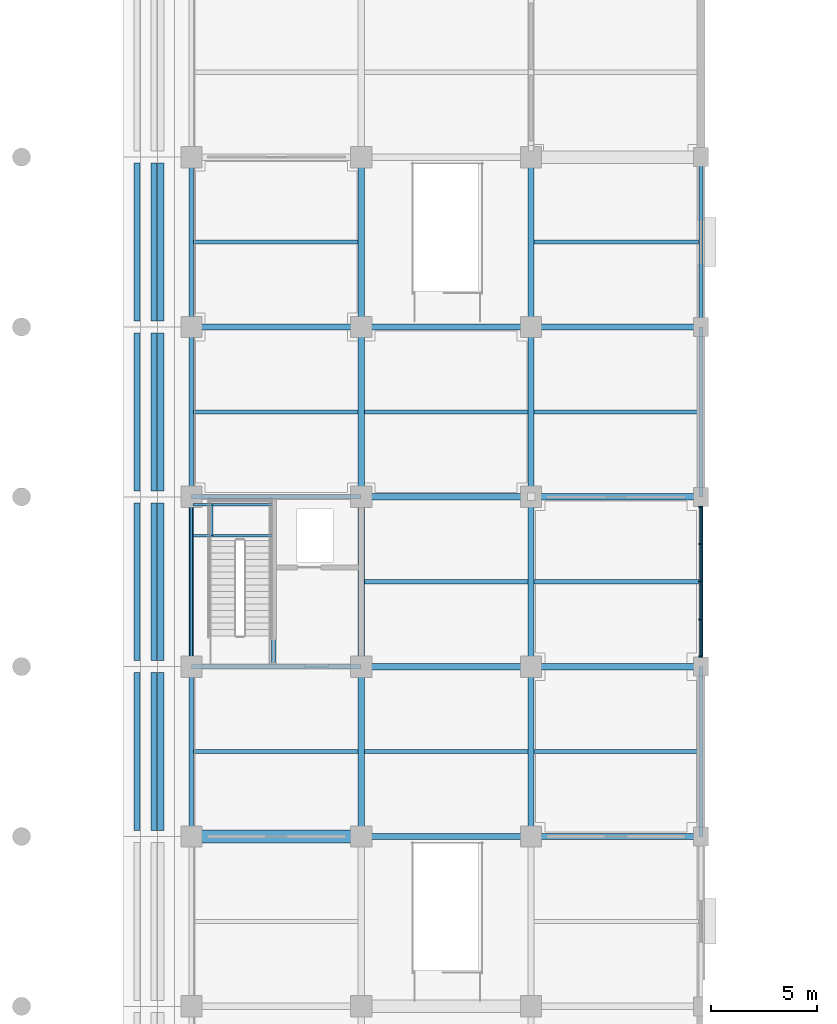
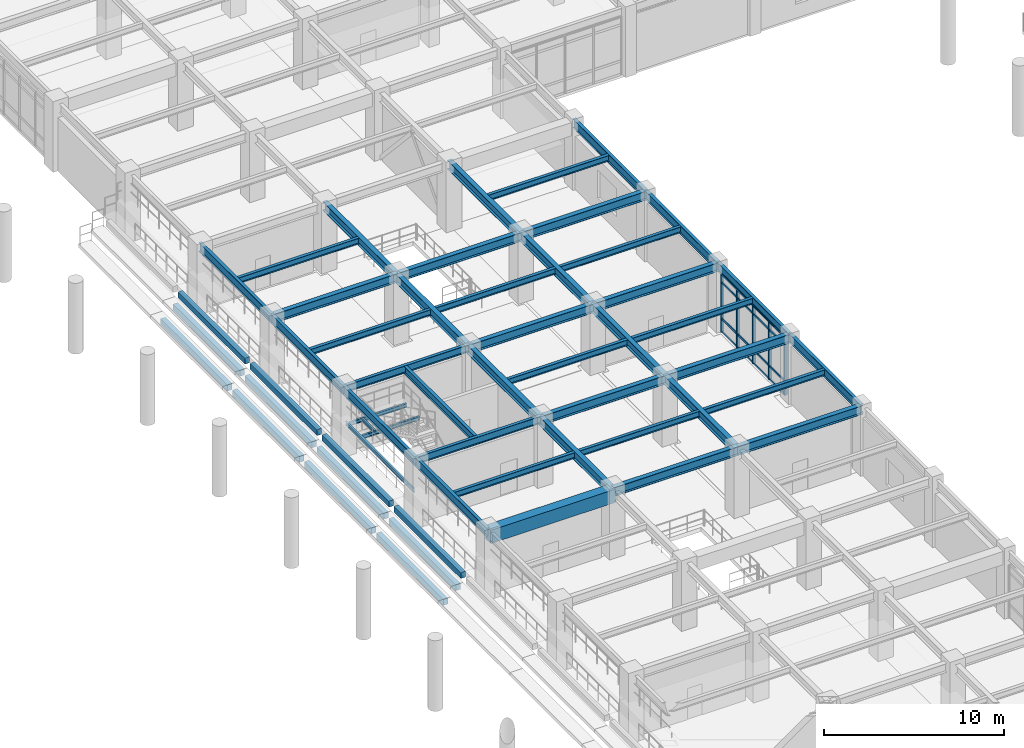
# One storey, part 36 of 117: 55 beams, 21 members, 1 element without a shape of its own.
"""IFC4 building model written with IfcOpenShell, lengths in metres."""

from ifc_helpers import new_model, si_unit, direction, frame, origin, origin_2d, place, context, subcontext, project, spatial, rectangle, i_section, extrude, material, layer, layer_set, material_profile, profile_set, type_object, element, aggregate, save


model = new_model("IFC4")

# Units and contexts
model_context = context("Model", 3, precision=1e-05, world=origin(), true_north=direction((0.0, 1.0)))
body_context = subcontext(model_context, "Body", "Model", "MODEL_VIEW")
ifc_project = project(units=[si_unit("LENGTHUNIT", "METRE"), si_unit("AREAUNIT", "SQUARE_METRE"), si_unit("VOLUMEUNIT", "CUBIC_METRE"), si_unit("PLANEANGLEUNIT", "RADIAN"), si_unit("MASSUNIT", "GRAM", prefix="KILO")], contexts=[model_context])

# Site, building, storey
site_placement = place(None, origin())
site = spatial("IfcSite", under=ifc_project, at=site_placement, CompositionType="ELEMENT")
building_placement = place(site_placement, origin())
building = spatial("IfcBuilding", under=site, at=building_placement, Name="Haebicheon Civic Stadium", CompositionType="ELEMENT")
storey_placement = place(building_placement, frame((0.0, 0.0, 4.800048828125)))
storey = spatial("IfcBuildingStorey", under=building, at=storey_placement, Name="L02", CompositionType="ELEMENT", Elevation=4.800048828125)

# Beams
ifc_material_1 = material(Name="Precast concrete C40/50", Category="concrete")
ifc_material_profile_1 = material_profile(ifc_material_1, rectangle(XDim=0.300048828125, YDim=0.39990234375, at=origin_2d()), Name="PC-LN-300x400")
ifc_profile_set_1 = profile_set([ifc_material_profile_1], Name="Precast concrete C40/50")
beam_type_1 = type_object("IfcBeamType", Name="BM-LN-300x400", PredefinedType="LINTEL", material=ifc_profile_set_1)
for number, where, z_axis, x_axis, name in (
    (1, (141.43994140625, 96.280029296875, 0.22705078125), (0.0, 1.0, 0.0), (-1.0, 0.0, 0.0), "TIER-E-L precast step carrier beam 7.7"),
    (2, (142.239990234375, 96.280029296875, 0.93798828125), (0.0, 1.0, 0.0), (-1.0, 0.0, 0.0), "TIER-E-L precast step carrier beam 7.8"),
    (3, (142.56005859375, 96.280029296875, 1.64892578125), (0.0, 1.0, 0.0), (-1.0, 0.0, 0.0), "TIER-E-L precast step carrier beam 7.9"),
    (4, (141.43994140625, 104.280029296875, 0.22705078125), (0.0, 1.0, 0.0), (-1.0, 0.0, 0.0), "TIER-E-L precast step carrier beam 8.7"),
    (5, (142.239990234375, 104.280029296875, 0.93798828125), (0.0, 1.0, 0.0), (-1.0, 0.0, 0.0), "TIER-E-L precast step carrier beam 8.8"),
    (6, (142.56005859375, 104.280029296875, 1.64892578125), (0.0, 1.0, 0.0), (-1.0, 0.0, 0.0), "TIER-E-L precast step carrier beam 8.9"),
    (7, (141.43994140625, 112.280029296875, 0.22705078125), (0.0, 1.0, 0.0), (-1.0, 0.0, 0.0), "TIER-E-L precast step carrier beam 9.7"),
    (8, (142.239990234375, 112.280029296875, 0.93798828125), (0.0, 1.0, 0.0), (-1.0, 0.0, 0.0), "TIER-E-L precast step carrier beam 9.8"),
    (9, (142.56005859375, 112.280029296875, 1.64892578125), (0.0, 1.0, 0.0), (-1.0, 0.0, 0.0), "TIER-E-L precast step carrier beam 9.9"),
    (10, (141.43994140625, 120.280029296875, 0.22705078125), (0.0, 1.0, 0.0), (-1.0, 0.0, 0.0), "TIER-E-L precast step carrier beam 10.7"),
    (11, (142.239990234375, 120.280029296875, 0.93798828125), (0.0, 1.0, 0.0), (-1.0, 0.0, 0.0), "TIER-E-L precast step carrier beam 10.8"),
    (12, (142.56005859375, 120.280029296875, 1.64892578125), (0.0, 1.0, 0.0), (-1.0, 0.0, 0.0), "TIER-E-L precast step carrier beam 10.9"),
):
    element("IfcBeam", number, at=place(storey_placement, frame(where, z_axis=z_axis, x_axis=x_axis)), inside=storey, type_object=beam_type_1, material=ifc_profile_set_1, Name=name, PredefinedType="LINTEL", context=body_context, shape_type="SweptSolid", body=[
        extrude(rectangle(XDim=0.300048828125, YDim=0.39990234375, at=origin_2d()), origin(), (0.0, 0.0, 1.0), 7.43994140625),
    ])
ifc_material_2 = material(Name="Concrete C40/50", Category="concrete")
ifc_material_profile_2 = material_profile(ifc_material_2, rectangle(XDim=0.60009765625, YDim=0.89990234375, at=origin_2d()), Name="RC-BM-600x900")
ifc_profile_set_2 = profile_set([ifc_material_profile_2], Name="Concrete C40/50")
beam_type_2 = type_object("IfcBeamType", Name="BM-RC-600x900", PredefinedType="BEAM", material=ifc_profile_set_2)
beam_1_placement = place(storey_placement, frame((144.0, 96.0, 4.070068359375), z_axis=(1.0, 0.0, 0.0), x_axis=(0.0, 1.0, 0.0)))
element("IfcBeam", 13, at=beam_1_placement, inside=storey, type_object=beam_type_2, material=ifc_profile_set_2, Name="L02 beam N/19-20", PredefinedType="BEAM", context=body_context, shape_type="SweptSolid", body=[
    extrude(rectangle(XDim=0.60009765625, YDim=0.89990234375, at=origin_2d()), origin(), (0.0, 0.0, 1.0), 8.0),
])
ifc_material_3 = material(Name="Steel SM355 (S355)", Category="steel")
ifc_material_profile_3 = material_profile(ifc_material_3, i_section(OverallWidth=0.199951171875, OverallDepth=0.5, WebThickness=0.010009765625, FlangeThickness=0.01611328125, at=origin_2d()), Name="H-500x200x10x16")
ifc_profile_set_3 = profile_set([ifc_material_profile_3], Name="Steel SM355 (S355)")
beam_type_3 = type_object("IfcBeamType", Name="BM-ST-H500", PredefinedType="BEAM", material=ifc_profile_set_3)
for number, where, z_axis, x_axis, name in (
    (14, (144.0, 104.0, 4.27001953125), (1.0, 0.0, 0.0), (0.0, 1.0, 0.0), "L02 beam P/19-20"),
    (15, (144.0, 112.0, 4.27001953125), (1.0, 0.0, 0.0), (0.0, 1.0, 0.0), "L02 beam Q/19-20"),
):
    element("IfcBeam", number, at=place(storey_placement, frame(where, z_axis=z_axis, x_axis=x_axis)), inside=storey, type_object=beam_type_3, material=ifc_profile_set_3, Name=name, PredefinedType="BEAM", context=body_context, shape_type="SweptSolid", body=[
        extrude(i_section(OverallWidth=0.199951171875, OverallDepth=0.5, WebThickness=0.010009765625, FlangeThickness=0.01611328125, at=origin_2d()), origin(), (0.0, 0.0, 1.0), 8.0),
    ])
beam_2_placement = place(storey_placement, frame((147.8798828125, 104.10009765625, 4.27001953125), z_axis=(0.0, 1.0, 0.0), x_axis=(-1.0, 0.0, 0.0)))
element("IfcBeam", 16, at=beam_2_placement, inside=storey, type_object=beam_type_3, material=ifc_profile_set_3, Name="L02 KC-11 core dividing wall support beam", PredefinedType="BEAM", context=body_context, shape_type="SweptSolid", body=[
    extrude(i_section(OverallWidth=0.199951171875, OverallDepth=0.5, WebThickness=0.010009765625, FlangeThickness=0.01611328125, at=origin_2d()), origin(), (0.0, 0.0, 1.0), 7.7998046875),
])
ifc_material_4 = material(Name="Steel SM355 (S355)", Category="steel")
ifc_material_profile_4 = material_profile(ifc_material_4, i_section(OverallWidth=0.300048828125, OverallDepth=0.60009765625, WebThickness=0.011962890625, FlangeThickness=0.02001953125, at=origin_2d()), Name="H-600x300x12x20")
ifc_profile_set_4 = profile_set([ifc_material_profile_4], Name="Steel SM355 (S355)")
beam_type_4 = type_object("IfcBeamType", Name="BM-ST-H600A", PredefinedType="BEAM", material=ifc_profile_set_4)
for number, where, z_axis, x_axis, name in (
    (17, (152.0, 96.0, 4.219970703125), (0.0, 1.0, 0.0), (-1.0, 0.0, 0.0), "L02 girder 20/N-P"),
    (18, (152.0, 104.0, 4.219970703125), (0.0, 1.0, 0.0), (-1.0, 0.0, 0.0), "L02 girder 20/P-Q"),
    (19, (152.0, 112.0, 4.219970703125), (0.0, 1.0, 0.0), (-1.0, 0.0, 0.0), "L02 girder 20/Q-R"),
    (20, (152.0, 120.0, 4.219970703125), (0.0, 1.0, 0.0), (-1.0, 0.0, 0.0), "L02 girder 20/R-S"),
    (21, (160.0, 96.0, 4.219970703125), (0.0, 1.0, 0.0), (-1.0, 0.0, 0.0), "L02 girder 21/N-P"),
    (22, (160.0, 104.0, 4.219970703125), (0.0, 1.0, 0.0), (-1.0, 0.0, 0.0), "L02 girder 21/P-Q"),
    (23, (160.0, 112.0, 4.219970703125), (0.0, 1.0, 0.0), (-1.0, 0.0, 0.0), "L02 girder 21/Q-R"),
    (24, (160.0, 120.0, 4.219970703125), (0.0, 1.0, 0.0), (-1.0, 0.0, 0.0), "L02 girder 21/R-S"),
    (25, (144.0, 120.0, 4.219970703125), (1.0, 0.0, 0.0), (0.0, 1.0, 0.0), "L02 beam R/19-20"),
    (26, (152.0, 96.0, 4.219970703125), (1.0, 0.0, 0.0), (0.0, 1.0, 0.0), "L02 beam N/20-21"),
    (27, (152.0, 104.0, 4.219970703125), (1.0, 0.0, 0.0), (0.0, 1.0, 0.0), "L02 beam P/20-21"),
    (28, (152.0, 112.0, 4.219970703125), (1.0, 0.0, 0.0), (0.0, 1.0, 0.0), "L02 beam Q/20-21"),
    (29, (152.0, 120.0, 4.219970703125), (1.0, 0.0, 0.0), (0.0, 1.0, 0.0), "L02 beam R/20-21"),
    (30, (160.0, 96.0, 4.219970703125), (1.0, 0.0, 0.0), (0.0, 1.0, 0.0), "L02 beam N/21-22"),
    (31, (160.0, 104.0, 4.219970703125), (1.0, 0.0, 0.0), (0.0, 1.0, 0.0), "L02 beam P/21-22"),
    (32, (160.0, 112.0, 4.219970703125), (1.0, 0.0, 0.0), (0.0, 1.0, 0.0), "L02 beam Q/21-22"),
    (33, (160.0, 120.0, 4.219970703125), (1.0, 0.0, 0.0), (0.0, 1.0, 0.0), "L02 beam R/21-22"),
):
    element("IfcBeam", number, at=place(storey_placement, frame(where, z_axis=z_axis, x_axis=x_axis)), inside=storey, type_object=beam_type_4, material=ifc_profile_set_4, Name=name, PredefinedType="BEAM", context=body_context, shape_type="SweptSolid", body=[
        extrude(i_section(OverallWidth=0.300048828125, OverallDepth=0.60009765625, WebThickness=0.011962890625, FlangeThickness=0.02001953125, at=origin_2d()), origin(), (0.0, 0.0, 1.0), 8.0),
    ])

# Curtain wall, members
ifc_material_5 = material(Name="Anodised aluminium and laminated glass", Category="aluminium")
ifc_layer = layer(ifc_material_5, 0.179931640625, Name="Anodised aluminium and laminated glass")
ifc_layer_set = layer_set([ifc_layer], Name="Anodised aluminium and laminated glass")
curtain_wall_type = type_object("IfcCurtainWallType", Name="CW-7100x3910", PredefinedType="NOTDEFINED", material=ifc_layer_set)
curtain_wall_placement = place(storey_placement, origin())
curtain_wall = element("IfcCurtainWall", 34, at=curtain_wall_placement, inside=storey, type_object=curtain_wall_type, material=ifc_layer_set, Name="L02 unitised curtain wall 056", PredefinedType="NOTDEFINED")
ifc_material_6 = material(Name="Anodised aluminium 6063-T6", Category="aluminium")
ifc_material_profile_5 = material_profile(ifc_material_6, rectangle(XDim=0.070068359375, YDim=0.199951171875, at=origin_2d()), Name="ALU-MULL-70x200")
ifc_profile_set_5 = profile_set([ifc_material_profile_5], Name="Anodised aluminium 6063-T6")
member_type_1 = type_object("IfcMemberType", Name="CWM-200x70", PredefinedType="MULLION", material=ifc_profile_set_5)
member_1_placement = place(storey_placement, frame((168.0, 104.485107421875, 0.0), z_axis=(0.0, 0.0, 1.0), x_axis=(0.0, 1.0, 0.0)))
member_1 = element("IfcMember", 35, at=member_1_placement, type_object=member_type_1, material=ifc_profile_set_5, Name="CW-L02-056 vertical mullion 1", PredefinedType="MULLION", context=body_context, shape_type="SweptSolid", body=[
    extrude(rectangle(XDim=0.070068359375, YDim=0.199951171875, at=origin_2d()), origin(), (0.0, 0.0, 1.0), 3.909912109375),
])
member_2_placement = place(storey_placement, frame((168.0, 106.22509765625, 0.0), z_axis=(0.0, 0.0, 1.0), x_axis=(0.0, 1.0, 0.0)))
member_2 = element("IfcMember", 36, at=member_2_placement, type_object=member_type_1, material=ifc_profile_set_5, Name="CW-L02-056 vertical mullion 2", PredefinedType="MULLION", context=body_context, shape_type="SweptSolid", body=[
    extrude(rectangle(XDim=0.070068359375, YDim=0.199951171875, at=origin_2d()), origin(), (0.0, 0.0, 1.0), 3.909912109375),
])
member_3_placement = place(storey_placement, frame((168.0, 108.0, 0.0), z_axis=(0.0, 0.0, 1.0), x_axis=(0.0, 1.0, 0.0)))
member_3 = element("IfcMember", 37, at=member_3_placement, type_object=member_type_1, material=ifc_profile_set_5, Name="CW-L02-056 vertical mullion 3", PredefinedType="MULLION", context=body_context, shape_type="SweptSolid", body=[
    extrude(rectangle(XDim=0.070068359375, YDim=0.199951171875, at=origin_2d()), origin(), (0.0, 0.0, 1.0), 3.909912109375),
])
member_4_placement = place(storey_placement, frame((168.0, 109.77490234375, 0.0), z_axis=(0.0, 0.0, 1.0), x_axis=(0.0, 1.0, 0.0)))
member_4 = element("IfcMember", 38, at=member_4_placement, type_object=member_type_1, material=ifc_profile_set_5, Name="CW-L02-056 vertical mullion 4", PredefinedType="MULLION", context=body_context, shape_type="SweptSolid", body=[
    extrude(rectangle(XDim=0.070068359375, YDim=0.199951171875, at=origin_2d()), origin(), (0.0, 0.0, 1.0), 3.909912109375),
])
member_5_placement = place(storey_placement, frame((168.0, 111.514892578125, 0.0), z_axis=(0.0, 0.0, 1.0), x_axis=(0.0, 1.0, 0.0)))
member_5 = element("IfcMember", 39, at=member_5_placement, type_object=member_type_1, material=ifc_profile_set_5, Name="CW-L02-056 vertical mullion 5", PredefinedType="MULLION", context=body_context, shape_type="SweptSolid", body=[
    extrude(rectangle(XDim=0.070068359375, YDim=0.199951171875, at=origin_2d()), origin(), (0.0, 0.0, 1.0), 3.909912109375),
])
ifc_material_7 = material(Name="Anodised aluminium 6063-T6", Category="aluminium")
ifc_material_profile_6 = material_profile(ifc_material_7, rectangle(XDim=0.070068359375, YDim=0.14990234375, at=origin_2d()), Name="ALU-TRAN-70x150")
ifc_profile_set_6 = profile_set([ifc_material_profile_6], Name="Anodised aluminium 6063-T6")
member_type_2 = type_object("IfcMemberType", Name="CWT-150x70", PredefinedType="NOTDEFINED", material=ifc_profile_set_6)
member_6_placement = place(storey_placement, frame((168.0, 104.52001953125, 0.0), z_axis=(0.0, 1.0, 0.0), x_axis=(-1.0, 0.0, 0.0)))
member_6 = element("IfcMember", 40, at=member_6_placement, type_object=member_type_2, material=ifc_profile_set_6, Name="CW-L02-056 horizontal transom 1.1", ObjectType="TRANSOM", PredefinedType="USERDEFINED", context=body_context, shape_type="SweptSolid", body=[
    extrude(rectangle(XDim=0.070068359375, YDim=0.14990234375, at=origin_2d()), origin(), (0.0, 0.0, 1.0), 1.669921875),
])
member_7_placement = place(storey_placement, frame((168.0, 104.52001953125, 0.89990234375), z_axis=(0.0, 1.0, 0.0), x_axis=(-1.0, 0.0, 0.0)))
member_7 = element("IfcMember", 41, at=member_7_placement, type_object=member_type_2, material=ifc_profile_set_6, Name="CW-L02-056 horizontal transom 1.2", ObjectType="TRANSOM", PredefinedType="USERDEFINED", context=body_context, shape_type="SweptSolid", body=[
    extrude(rectangle(XDim=0.070068359375, YDim=0.14990234375, at=origin_2d()), origin(), (0.0, 0.0, 1.0), 1.669921875),
])
member_8_placement = place(storey_placement, frame((168.0, 104.52001953125, 3.35986328125), z_axis=(0.0, 1.0, 0.0), x_axis=(-1.0, 0.0, 0.0)))
member_8 = element("IfcMember", 42, at=member_8_placement, type_object=member_type_2, material=ifc_profile_set_6, Name="CW-L02-056 horizontal transom 1.3", ObjectType="TRANSOM", PredefinedType="USERDEFINED", context=body_context, shape_type="SweptSolid", body=[
    extrude(rectangle(XDim=0.070068359375, YDim=0.14990234375, at=origin_2d()), origin(), (0.0, 0.0, 1.0), 1.669921875),
])
member_9_placement = place(storey_placement, frame((168.0, 104.52001953125, 3.909912109375), z_axis=(0.0, 1.0, 0.0), x_axis=(-1.0, 0.0, 0.0)))
member_9 = element("IfcMember", 43, at=member_9_placement, type_object=member_type_2, material=ifc_profile_set_6, Name="CW-L02-056 horizontal transom 1.4", ObjectType="TRANSOM", PredefinedType="USERDEFINED", context=body_context, shape_type="SweptSolid", body=[
    extrude(rectangle(XDim=0.070068359375, YDim=0.14990234375, at=origin_2d()), origin(), (0.0, 0.0, 1.0), 1.669921875),
])
member_10_placement = place(storey_placement, frame((168.0, 106.260009765625, 0.0), z_axis=(0.0, 1.0, 0.0), x_axis=(-1.0, 0.0, 0.0)))
member_10 = element("IfcMember", 44, at=member_10_placement, type_object=member_type_2, material=ifc_profile_set_6, Name="CW-L02-056 horizontal transom 2.1", ObjectType="TRANSOM", PredefinedType="USERDEFINED", context=body_context, shape_type="SweptSolid", body=[
    extrude(rectangle(XDim=0.070068359375, YDim=0.14990234375, at=origin_2d()), origin(), (0.0, 0.0, 1.0), 1.705078125),
])
member_11_placement = place(storey_placement, frame((168.0, 106.260009765625, 0.89990234375), z_axis=(0.0, 1.0, 0.0), x_axis=(-1.0, 0.0, 0.0)))
member_11 = element("IfcMember", 45, at=member_11_placement, type_object=member_type_2, material=ifc_profile_set_6, Name="CW-L02-056 horizontal transom 2.2", ObjectType="TRANSOM", PredefinedType="USERDEFINED", context=body_context, shape_type="SweptSolid", body=[
    extrude(rectangle(XDim=0.070068359375, YDim=0.14990234375, at=origin_2d()), origin(), (0.0, 0.0, 1.0), 1.705078125),
])
member_12_placement = place(storey_placement, frame((168.0, 106.260009765625, 3.35986328125), z_axis=(0.0, 1.0, 0.0), x_axis=(-1.0, 0.0, 0.0)))
member_12 = element("IfcMember", 46, at=member_12_placement, type_object=member_type_2, material=ifc_profile_set_6, Name="CW-L02-056 horizontal transom 2.3", ObjectType="TRANSOM", PredefinedType="USERDEFINED", context=body_context, shape_type="SweptSolid", body=[
    extrude(rectangle(XDim=0.070068359375, YDim=0.14990234375, at=origin_2d()), origin(), (0.0, 0.0, 1.0), 1.705078125),
])
member_13_placement = place(storey_placement, frame((168.0, 106.260009765625, 3.909912109375), z_axis=(0.0, 1.0, 0.0), x_axis=(-1.0, 0.0, 0.0)))
member_13 = element("IfcMember", 47, at=member_13_placement, type_object=member_type_2, material=ifc_profile_set_6, Name="CW-L02-056 horizontal transom 2.4", ObjectType="TRANSOM", PredefinedType="USERDEFINED", context=body_context, shape_type="SweptSolid", body=[
    extrude(rectangle(XDim=0.070068359375, YDim=0.14990234375, at=origin_2d()), origin(), (0.0, 0.0, 1.0), 1.705078125),
])
member_14_placement = place(storey_placement, frame((168.0, 108.034912109375, 0.0), z_axis=(0.0, 1.0, 0.0), x_axis=(-1.0, 0.0, 0.0)))
member_14 = element("IfcMember", 48, at=member_14_placement, type_object=member_type_2, material=ifc_profile_set_6, Name="CW-L02-056 horizontal transom 3.1", ObjectType="TRANSOM", PredefinedType="USERDEFINED", context=body_context, shape_type="SweptSolid", body=[
    extrude(rectangle(XDim=0.070068359375, YDim=0.14990234375, at=origin_2d()), origin(), (0.0, 0.0, 1.0), 1.705078125),
])
member_15_placement = place(storey_placement, frame((168.0, 108.034912109375, 0.89990234375), z_axis=(0.0, 1.0, 0.0), x_axis=(-1.0, 0.0, 0.0)))
member_15 = element("IfcMember", 49, at=member_15_placement, type_object=member_type_2, material=ifc_profile_set_6, Name="CW-L02-056 horizontal transom 3.2", ObjectType="TRANSOM", PredefinedType="USERDEFINED", context=body_context, shape_type="SweptSolid", body=[
    extrude(rectangle(XDim=0.070068359375, YDim=0.14990234375, at=origin_2d()), origin(), (0.0, 0.0, 1.0), 1.705078125),
])
member_16_placement = place(storey_placement, frame((168.0, 108.034912109375, 3.35986328125), z_axis=(0.0, 1.0, 0.0), x_axis=(-1.0, 0.0, 0.0)))
member_16 = element("IfcMember", 50, at=member_16_placement, type_object=member_type_2, material=ifc_profile_set_6, Name="CW-L02-056 horizontal transom 3.3", ObjectType="TRANSOM", PredefinedType="USERDEFINED", context=body_context, shape_type="SweptSolid", body=[
    extrude(rectangle(XDim=0.070068359375, YDim=0.14990234375, at=origin_2d()), origin(), (0.0, 0.0, 1.0), 1.705078125),
])
member_17_placement = place(storey_placement, frame((168.0, 108.034912109375, 3.909912109375), z_axis=(0.0, 1.0, 0.0), x_axis=(-1.0, 0.0, 0.0)))
member_17 = element("IfcMember", 51, at=member_17_placement, type_object=member_type_2, material=ifc_profile_set_6, Name="CW-L02-056 horizontal transom 3.4", ObjectType="TRANSOM", PredefinedType="USERDEFINED", context=body_context, shape_type="SweptSolid", body=[
    extrude(rectangle(XDim=0.070068359375, YDim=0.14990234375, at=origin_2d()), origin(), (0.0, 0.0, 1.0), 1.705078125),
])
member_18_placement = place(storey_placement, frame((168.0, 109.81005859375, 0.0), z_axis=(0.0, 1.0, 0.0), x_axis=(-1.0, 0.0, 0.0)))
member_18 = element("IfcMember", 52, at=member_18_placement, type_object=member_type_2, material=ifc_profile_set_6, Name="CW-L02-056 horizontal transom 4.1", ObjectType="TRANSOM", PredefinedType="USERDEFINED", context=body_context, shape_type="SweptSolid", body=[
    extrude(rectangle(XDim=0.070068359375, YDim=0.14990234375, at=origin_2d()), origin(), (0.0, 0.0, 1.0), 1.669921875),
])
member_19_placement = place(storey_placement, frame((168.0, 109.81005859375, 0.89990234375), z_axis=(0.0, 1.0, 0.0), x_axis=(-1.0, 0.0, 0.0)))
member_19 = element("IfcMember", 53, at=member_19_placement, type_object=member_type_2, material=ifc_profile_set_6, Name="CW-L02-056 horizontal transom 4.2", ObjectType="TRANSOM", PredefinedType="USERDEFINED", context=body_context, shape_type="SweptSolid", body=[
    extrude(rectangle(XDim=0.070068359375, YDim=0.14990234375, at=origin_2d()), origin(), (0.0, 0.0, 1.0), 1.669921875),
])
member_20_placement = place(storey_placement, frame((168.0, 109.81005859375, 3.35986328125), z_axis=(0.0, 1.0, 0.0), x_axis=(-1.0, 0.0, 0.0)))
member_20 = element("IfcMember", 54, at=member_20_placement, type_object=member_type_2, material=ifc_profile_set_6, Name="CW-L02-056 horizontal transom 4.3", ObjectType="TRANSOM", PredefinedType="USERDEFINED", context=body_context, shape_type="SweptSolid", body=[
    extrude(rectangle(XDim=0.070068359375, YDim=0.14990234375, at=origin_2d()), origin(), (0.0, 0.0, 1.0), 1.669921875),
])
member_21_placement = place(storey_placement, frame((168.0, 109.81005859375, 3.909912109375), z_axis=(0.0, 1.0, 0.0), x_axis=(-1.0, 0.0, 0.0)))
member_21 = element("IfcMember", 55, at=member_21_placement, type_object=member_type_2, material=ifc_profile_set_6, Name="CW-L02-056 horizontal transom 4.4", ObjectType="TRANSOM", PredefinedType="USERDEFINED", context=body_context, shape_type="SweptSolid", body=[
    extrude(rectangle(XDim=0.070068359375, YDim=0.14990234375, at=origin_2d()), origin(), (0.0, 0.0, 1.0), 1.669921875),
])
aggregate(curtain_wall, [member_1, member_2, member_3, member_4, member_5, member_6, member_7, member_8, member_9, member_10, member_11, member_12, member_13, member_14, member_15, member_16, member_17, member_18, member_19, member_20, member_21])

# Beams
ifc_material_8 = material(Name="Steel SM355 (S355)", Category="steel")
ifc_material_profile_7 = material_profile(ifc_material_8, i_section(OverallWidth=0.125, OverallDepth=0.25, WebThickness=0.006103515625, FlangeThickness=0.009033203125, at=origin_2d()), Name="H-250x125x6x9")
ifc_profile_set_7 = profile_set([ifc_material_profile_7], Name="Steel SM355 (S355)")
beam_type_5 = type_object("IfcBeamType", Name="JST-ST-H250", PredefinedType="JOIST", material=ifc_profile_set_7)
beam_3_placement = place(storey_placement, frame((144.0, 104.199951171875, 2.072021484375), z_axis=(0.0, 1.0, 0.0), x_axis=(-1.0, 0.0, 0.0)))
element("IfcBeam", 56, at=beam_3_placement, inside=storey, type_object=beam_type_5, material=ifc_profile_set_7, Name="KC-11 L02 stair west grid landing carrier beam", PredefinedType="JOIST", context=body_context, shape_type="SweptSolid", body=[
    extrude(i_section(OverallWidth=0.125, OverallDepth=0.25, WebThickness=0.006103515625, FlangeThickness=0.009033203125, at=origin_2d()), origin(), (0.0, 0.0, 1.0), 7.60009765625),
])
for number, where, z_axis, x_axis, name in (
    (57, (144.080078125, 110.169921875, 2.072021484375), (1.0, 0.0, 0.0), (0.0, 1.0, 0.0), "KC-11 L02 stair half-landing front trimmer beam"),
    (58, (144.080078125, 111.6201171875, 2.072021484375), (1.0, 0.0, 0.0), (0.0, 1.0, 0.0), "KC-11 L02 stair half-landing rear trimmer beam"),
):
    element("IfcBeam", number, at=place(storey_placement, frame(where, z_axis=z_axis, x_axis=x_axis)), inside=storey, type_object=beam_type_5, material=ifc_profile_set_7, Name=name, PredefinedType="JOIST", context=body_context, shape_type="SweptSolid", body=[
        extrude(i_section(OverallWidth=0.125, OverallDepth=0.25, WebThickness=0.006103515625, FlangeThickness=0.009033203125, at=origin_2d()), origin(), (0.0, 0.0, 1.0), 3.719970703125),
    ])
beam_4_placement = place(storey_placement, frame((144.9599609375, 110.169921875, 2.072021484375), z_axis=(0.0, 1.0, 0.0), x_axis=(-1.0, 0.0, 0.0)))
element("IfcBeam", 59, at=beam_4_placement, inside=storey, type_object=beam_type_5, material=ifc_profile_set_7, Name="KC-11 L02 stair half-landing transverse tie beam", PredefinedType="JOIST", context=body_context, shape_type="SweptSolid", body=[
    extrude(i_section(OverallWidth=0.125, OverallDepth=0.25, WebThickness=0.006103515625, FlangeThickness=0.009033203125, at=origin_2d()), origin(), (0.0, 0.0, 1.0), 1.4501953125),
])
ifc_material_9 = material(Name="Steel SM355 (S355)", Category="steel")
ifc_material_profile_8 = material_profile(ifc_material_9, i_section(OverallWidth=0.199951171875, OverallDepth=0.39990234375, WebThickness=0.008056640625, FlangeThickness=0.012939453125, at=origin_2d()), Name="H-400x200x8x13")
ifc_profile_set_8 = profile_set([ifc_material_profile_8], Name="Steel SM355 (S355)")
beam_type_6 = type_object("IfcBeamType", Name="JST-ST-H400", PredefinedType="JOIST", material=ifc_profile_set_8)
for number, where, z_axis, x_axis, name in (
    (60, (144.10009765625, 100.0, 4.320068359375), (1.0, 0.0, 0.0), (0.0, 1.0, 0.0), "L02 secondary joist 18-12"),
    (61, (144.10009765625, 116.0, 4.320068359375), (1.0, 0.0, 0.0), (0.0, 1.0, 0.0), "L02 secondary joist 18-14"),
    (62, (144.10009765625, 124.0, 4.320068359375), (1.0, 0.0, 0.0), (0.0, 1.0, 0.0), "L02 secondary joist 18-15"),
):
    element("IfcBeam", number, at=place(storey_placement, frame(where, z_axis=z_axis, x_axis=x_axis)), inside=storey, type_object=beam_type_6, material=ifc_profile_set_8, Name=name, PredefinedType="JOIST", context=body_context, shape_type="SweptSolid", body=[
        extrude(i_section(OverallWidth=0.199951171875, OverallDepth=0.39990234375, WebThickness=0.008056640625, FlangeThickness=0.012939453125, at=origin_2d()), origin(), (0.0, 0.0, 1.0), 7.75),
    ])
for number, where, z_axis, x_axis, name in (
    (63, (152.14990234375, 100.0, 4.320068359375), (1.0, 0.0, 0.0), (0.0, 1.0, 0.0), "L02 secondary joist 19-12"),
    (64, (152.14990234375, 108.0, 4.320068359375), (1.0, 0.0, 0.0), (0.0, 1.0, 0.0), "L02 secondary joist 19-13"),
    (65, (152.14990234375, 116.0, 4.320068359375), (1.0, 0.0, 0.0), (0.0, 1.0, 0.0), "L02 secondary joist 19-14"),
):
    element("IfcBeam", number, at=place(storey_placement, frame(where, z_axis=z_axis, x_axis=x_axis)), inside=storey, type_object=beam_type_6, material=ifc_profile_set_8, Name=name, PredefinedType="JOIST", context=body_context, shape_type="SweptSolid", body=[
        extrude(i_section(OverallWidth=0.199951171875, OverallDepth=0.39990234375, WebThickness=0.008056640625, FlangeThickness=0.012939453125, at=origin_2d()), origin(), (0.0, 0.0, 1.0), 7.7001953125),
    ])
for number, where, z_axis, x_axis, name in (
    (66, (160.14990234375, 100.0, 4.320068359375), (1.0, 0.0, 0.0), (0.0, 1.0, 0.0), "L02 secondary joist 20-12"),
    (67, (160.14990234375, 108.0, 4.320068359375), (1.0, 0.0, 0.0), (0.0, 1.0, 0.0), "L02 secondary joist 20-13"),
    (68, (160.14990234375, 116.0, 4.320068359375), (1.0, 0.0, 0.0), (0.0, 1.0, 0.0), "L02 secondary joist 20-14"),
    (69, (160.14990234375, 124.0, 4.320068359375), (1.0, 0.0, 0.0), (0.0, 1.0, 0.0), "L02 secondary joist 20-15"),
):
    element("IfcBeam", number, at=place(storey_placement, frame(where, z_axis=z_axis, x_axis=x_axis)), inside=storey, type_object=beam_type_6, material=ifc_profile_set_8, Name=name, PredefinedType="JOIST", context=body_context, shape_type="SweptSolid", body=[
        extrude(i_section(OverallWidth=0.199951171875, OverallDepth=0.39990234375, WebThickness=0.008056640625, FlangeThickness=0.012939453125, at=origin_2d()), origin(), (0.0, 0.0, 1.0), 7.75),
    ])
ifc_material_10 = material(Name="Steel SM355 (S355)", Category="steel")
ifc_material_profile_9 = material_profile(ifc_material_10, i_section(OverallWidth=0.199951171875, OverallDepth=0.60009765625, WebThickness=0.010986328125, FlangeThickness=0.01708984375, at=origin_2d()), Name="H-600x200x11x17")
ifc_profile_set_9 = profile_set([ifc_material_profile_9], Name="Steel SM355 (S355)")
beam_type_7 = type_object("IfcBeamType", Name="SPD-ST-H600B", PredefinedType="SPANDREL", material=ifc_profile_set_9)
for number, where, z_axis, x_axis, name in (
    (70, (144.0, 96.0, 4.219970703125), (0.0, 1.0, 0.0), (-1.0, 0.0, 0.0), "L02 girder 19/N-P"),
    (71, (144.0, 104.0, 4.219970703125), (0.0, 1.0, 0.0), (-1.0, 0.0, 0.0), "L02 girder 19/P-Q"),
    (72, (144.0, 112.0, 4.219970703125), (0.0, 1.0, 0.0), (-1.0, 0.0, 0.0), "L02 girder 19/Q-R"),
    (73, (144.0, 120.0, 4.219970703125), (0.0, 1.0, 0.0), (-1.0, 0.0, 0.0), "L02 girder 19/R-S"),
    (74, (168.0, 96.0, 4.219970703125), (0.0, 1.0, 0.0), (-1.0, 0.0, 0.0), "L02 girder 22/N-P"),
    (75, (168.0, 104.0, 4.219970703125), (0.0, 1.0, 0.0), (-1.0, 0.0, 0.0), "L02 girder 22/P-Q"),
    (76, (168.0, 112.0, 4.219970703125), (0.0, 1.0, 0.0), (-1.0, 0.0, 0.0), "L02 girder 22/Q-R"),
    (77, (168.0, 120.0, 4.219970703125), (0.0, 1.0, 0.0), (-1.0, 0.0, 0.0), "L02 girder 22/R-S"),
):
    element("IfcBeam", number, at=place(storey_placement, frame(where, z_axis=z_axis, x_axis=x_axis)), inside=storey, type_object=beam_type_7, material=ifc_profile_set_9, Name=name, PredefinedType="SPANDREL", context=body_context, shape_type="SweptSolid", body=[
        extrude(i_section(OverallWidth=0.199951171875, OverallDepth=0.60009765625, WebThickness=0.010986328125, FlangeThickness=0.01708984375, at=origin_2d()), origin(), (0.0, 0.0, 1.0), 8.0),
    ])

save(model, "model.ifc")
